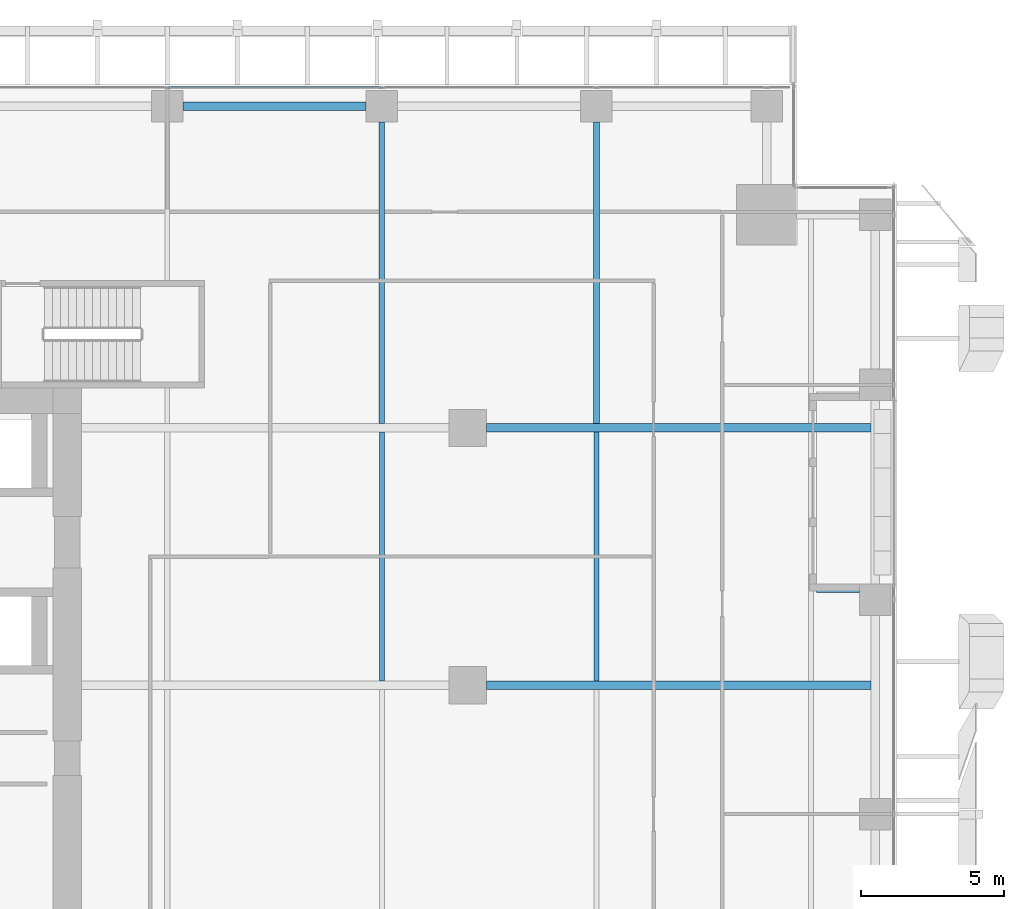
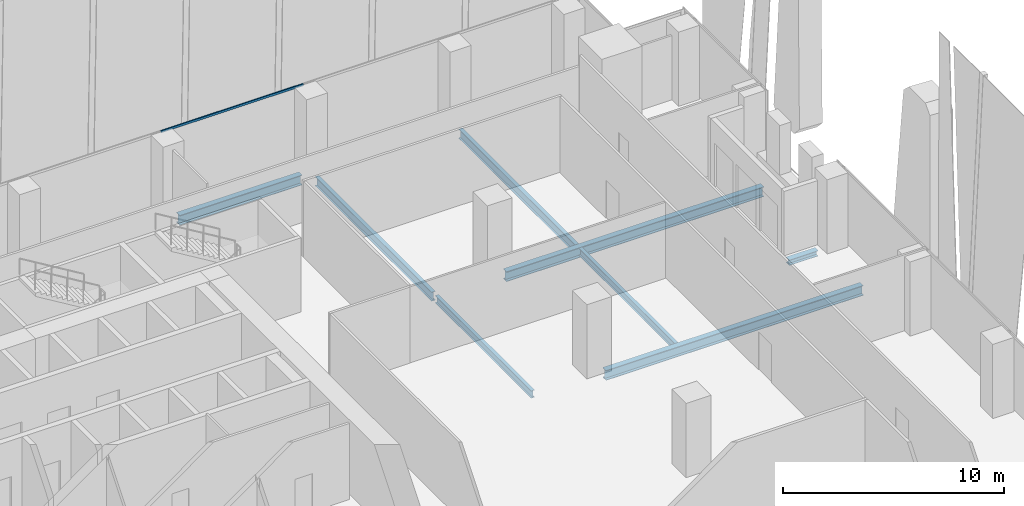
# One storey, part 16 of 35: 8 beams, 1 member, 1 element without a shape of its own.
"""IFC4 building model written with IfcOpenShell, lengths in metres."""

from ifc_helpers import new_model, si_unit, direction, frame, origin, origin_2d, place, context, subcontext, project, spatial, hollow_rectangle, i_section, extrude, source, transform, mapped, material, material_profile, profile_set, type_object, element, aggregate, save


model = new_model("IFC4")

# Units and contexts
model_context = context("Model", 3, precision=1e-05, world=origin(), true_north=direction((0.0, 1.0)))
body_context = subcontext(model_context, "Body", "Model", "MODEL_VIEW")
ifc_project = project(units=[si_unit("LENGTHUNIT", "METRE"), si_unit("AREAUNIT", "SQUARE_METRE"), si_unit("VOLUMEUNIT", "CUBIC_METRE"), si_unit("PLANEANGLEUNIT", "RADIAN"), si_unit("MASSUNIT", "GRAM", prefix="KILO")], contexts=[model_context])

# Site, building, storey
site_placement = place(None, origin())
site = spatial("IfcSite", under=ifc_project, at=site_placement, CompositionType="ELEMENT")
building_placement = place(site_placement, origin())
building = spatial("IfcBuilding", under=site, at=building_placement, Name="Khomas Fold Tower", CompositionType="ELEMENT")
storey_placement = place(building_placement, frame((0.0, 0.0, 127.89990234375)))
storey = spatial("IfcBuildingStorey", under=building, at=storey_placement, Name="L27", CompositionType="ELEMENT", Elevation=127.89990234375)

# Beams
ifc_material_1 = material(Name="Steel S355", Category="steel")
ifc_material_profile_1 = material_profile(ifc_material_1, i_section(OverallWidth=0.179931640625, OverallDepth=0.39990234375, WebThickness=0.008544921875, FlangeThickness=0.013427734375, at=origin_2d()), Name="IPE 400")
ifc_profile_set_1 = profile_set([ifc_material_profile_1], Name="Steel S355")
beam_type_1 = type_object("IfcBeamType", Name="IPE 400 beam JB3", PredefinedType="BEAM", material=ifc_profile_set_1)
shared_shape_1 = source(origin(), body_context, "Body", "SweptSolid", [
    extrude(i_section(OverallWidth=0.179931640625, OverallDepth=0.39990234375, WebThickness=0.008544921875, FlangeThickness=0.013427734375, at=origin_2d()), origin(), (0.0, 0.0, 1.0), 8.7001953125),
])
for number, where, z_axis, x_axis, name in (
    (1, (34.5, 31.64990234375, -0.5), (0.0, 1.0, 0.0), (-1.0, 0.0, 0.0), "JB3"),
    (2, (42.0, 31.64990234375, -0.5), (0.0, 1.0, 0.0), (-1.0, 0.0, 0.0), "JB3"),
):
    element("IfcBeam", number, at=place(storey_placement, frame(where, z_axis=z_axis, x_axis=x_axis)), inside=storey, type_object=beam_type_1, Name=name, PredefinedType="BEAM", context=body_context, shape_type="MappedRepresentation", body=[
        mapped(shared_shape_1, transform((0.0, 0.0, 0.0))),
    ])
ifc_material_2 = material(Name="Steel S355", Category="steel")
ifc_material_profile_2 = material_profile(ifc_material_2, i_section(OverallWidth=0.300048828125, OverallDepth=0.550048828125, WebThickness=0.014892578125, FlangeThickness=0.029052734375, at=origin_2d()), Name="HE 550 B")
ifc_profile_set_2 = profile_set([ifc_material_profile_2], Name="Steel S355")
beam_type_2 = type_object("IfcBeamType", Name="HE 550 B spandrel SB2", PredefinedType="SPANDREL", material=ifc_profile_set_2)
shared_shape_2 = source(origin(), body_context, "Body", "SweptSolid", [
    extrude(i_section(OverallWidth=0.300048828125, OverallDepth=0.550048828125, WebThickness=0.014892578125, FlangeThickness=0.029052734375, at=origin_2d()), origin(), (0.0, 0.0, 1.0), 6.39990234375),
])
beam_1_placement = place(storey_placement, frame((27.550048828125, 51.75, -0.574951171875), z_axis=(1.0, 0.0, 0.0), x_axis=(0.0, 1.0, 0.0)))
element("IfcBeam", 3, at=beam_1_placement, inside=storey, type_object=beam_type_2, Name="SB2", PredefinedType="SPANDREL", context=body_context, shape_type="MappedRepresentation", body=[
    mapped(shared_shape_2, transform((0.0, 0.0, 0.0))),
])
ifc_material_3 = material(Name="Steel S355", Category="steel")
ifc_material_profile_3 = material_profile(ifc_material_3, i_section(OverallWidth=0.300048828125, OverallDepth=0.550048828125, WebThickness=0.014892578125, FlangeThickness=0.029052734375, at=origin_2d()), Name="HE 550 B")
ifc_profile_set_3 = profile_set([ifc_material_profile_3], Name="Steel S355")
beam_type_3 = type_object("IfcBeamType", Name="HE 550 B beam GB4", PredefinedType="BEAM", material=ifc_profile_set_3)
shared_shape_3 = source(origin(), body_context, "Body", "SweptSolid", [
    extrude(i_section(OverallWidth=0.300048828125, OverallDepth=0.550048828125, WebThickness=0.014892578125, FlangeThickness=0.029052734375, at=origin_2d()), origin(), (0.0, 0.0, 1.0), 13.4501953125),
])
for number, where, z_axis, x_axis, name in (
    (4, (38.14990234375, 31.5, -0.574951171875), (1.0, 0.0, 0.0), (0.0, 1.0, 0.0), "GB4"),
    (5, (38.14990234375, 40.5, -0.574951171875), (1.0, 0.0, 0.0), (0.0, 1.0, 0.0), "GB4"),
):
    element("IfcBeam", number, at=place(storey_placement, frame(where, z_axis=z_axis, x_axis=x_axis)), inside=storey, type_object=beam_type_3, Name=name, PredefinedType="BEAM", context=body_context, shape_type="MappedRepresentation", body=[
        mapped(shared_shape_3, transform((0.0, 0.0, 0.0))),
    ])
ifc_material_4 = material(Name="Steel S355", Category="steel")
ifc_material_profile_4 = material_profile(ifc_material_4, i_section(OverallWidth=0.199951171875, OverallDepth=0.5, WebThickness=0.01025390625, FlangeThickness=0.01611328125, at=origin_2d()), Name="IPE 500")
ifc_profile_set_4 = profile_set([ifc_material_profile_4], Name="Steel S355")
beam_type_4 = type_object("IfcBeamType", Name="IPE 500 beam JB5", PredefinedType="BEAM", material=ifc_profile_set_4)
shared_shape_4 = source(origin(), body_context, "Body", "SweptSolid", [
    extrude(i_section(OverallWidth=0.199951171875, OverallDepth=0.5, WebThickness=0.01025390625, FlangeThickness=0.01611328125, at=origin_2d()), origin(), (0.0, 0.0, 1.0), 10.550048828125),
])
for number, where, z_axis, x_axis, name in (
    (6, (34.5, 40.64990234375, -0.5498046875), (0.0, 1.0, 0.0), (-1.0, 0.0, 0.0), "JB5"),
    (7, (42.0, 40.64990234375, -0.5498046875), (0.0, 1.0, 0.0), (-1.0, 0.0, 0.0), "JB5"),
):
    element("IfcBeam", number, at=place(storey_placement, frame(where, z_axis=z_axis, x_axis=x_axis)), inside=storey, type_object=beam_type_4, Name=name, PredefinedType="BEAM", context=body_context, shape_type="MappedRepresentation", body=[
        mapped(shared_shape_4, transform((0.0, 0.0, 0.0))),
    ])
ifc_material_5 = material(Name="Steel S355", Category="steel")
ifc_material_profile_5 = material_profile(ifc_material_5, i_section(OverallWidth=0.300048828125, OverallDepth=0.300048828125, WebThickness=0.010986328125, FlangeThickness=0.01904296875, at=origin_2d()), Name="HE 300 B")
ifc_profile_set_5 = profile_set([ifc_material_profile_5], Name="Steel S355")
beam_type_5 = type_object("IfcBeamType", Name="HE 300 B beam BB1", PredefinedType="BEAM", material=ifc_profile_set_5)
shared_shape_5 = source(origin(), body_context, "Body", "SweptSolid", [
    extrude(i_section(OverallWidth=0.300048828125, OverallDepth=0.300048828125, WebThickness=0.010986328125, FlangeThickness=0.01904296875, at=origin_2d()), origin(), (0.0, 0.0, 1.0), 1.5),
])
beam_2_placement = place(storey_placement, frame((49.699951171875, 34.89990234375, -0.449951171875), z_axis=(1.0, 0.0, 0.0), x_axis=(0.0, 1.0, 0.0)))
element("IfcBeam", 8, at=beam_2_placement, inside=storey, type_object=beam_type_5, Name="BB1", PredefinedType="BEAM", context=body_context, shape_type="MappedRepresentation", body=[
    mapped(shared_shape_5, transform((0.0, 0.0, 0.0))),
])

# Curtain wall, member
ifc_material_6 = material(Name="Aluminium framed double glazing", Category="aluminium")
curtain_wall_type = type_object("IfcCurtainWallType", Name="SK-Unitised clear-glass wall, growing floors CW1", PredefinedType="NOTDEFINED", material=ifc_material_6)
curtain_wall_placement = place(storey_placement, origin())
curtain_wall = element("IfcCurtainWall", 9, at=curtain_wall_placement, inside=storey, type_object=curtain_wall_type, Name="CW1 run L27 06-0", PredefinedType="NOTDEFINED")
ifc_material_7 = material(Name="Aluminium", Category="aluminium")
ifc_material_profile_6 = material_profile(ifc_material_7, hollow_rectangle(XDim=0.06005859375, YDim=0.1201171875, WallThickness=0.00390625, at=origin_2d()), Name="SK-Unitised clear-glass wall, growing floors transom CW1-T")
ifc_profile_set_6 = profile_set([ifc_material_profile_6], Name="Aluminium")
member_type = type_object("IfcMemberType", Name="SK-Unitised clear-glass wall, growing floors transom CW1-T", PredefinedType="USERDEFINED", material=ifc_profile_set_6)
shared_shape_6 = source(origin(), body_context, "Body", "SweptSolid", [
    extrude(hollow_rectangle(XDim=0.06005859375, YDim=0.1201171875, WallThickness=0.00390625, at=origin_2d()), origin(), (0.0, 0.0, 1.0), 7.43994140625),
])
member_placement = place(storey_placement, frame((34.469970703125, 52.39990234375, 4.0400390625), z_axis=(-1.0, 0.0, 0.0), x_axis=(0.0, -1.0, 0.0)))
member = element("IfcMember", 10, at=member_placement, type_object=member_type, Name="CW1 transom 4", ObjectType="TRANSOM", PredefinedType="USERDEFINED", context=body_context, shape_type="MappedRepresentation", body=[
    mapped(shared_shape_6, transform((0.0, 0.0, 0.0))),
])
aggregate(curtain_wall, [member])

save(model, "model.ifc")
